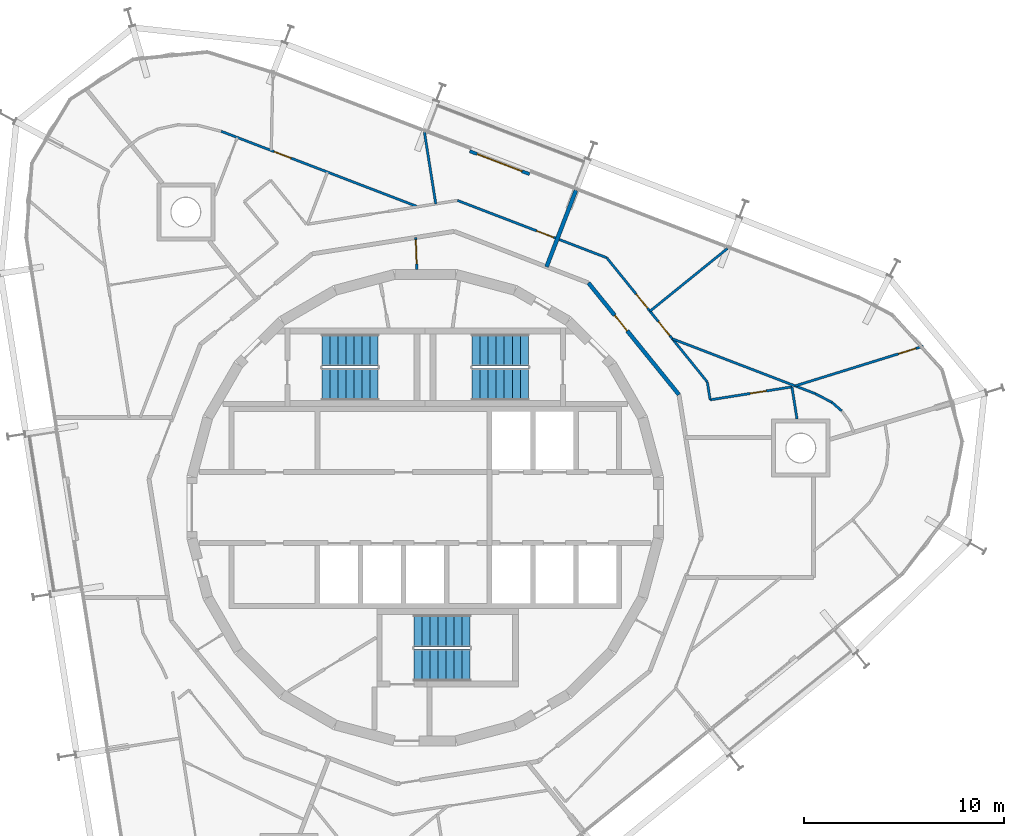
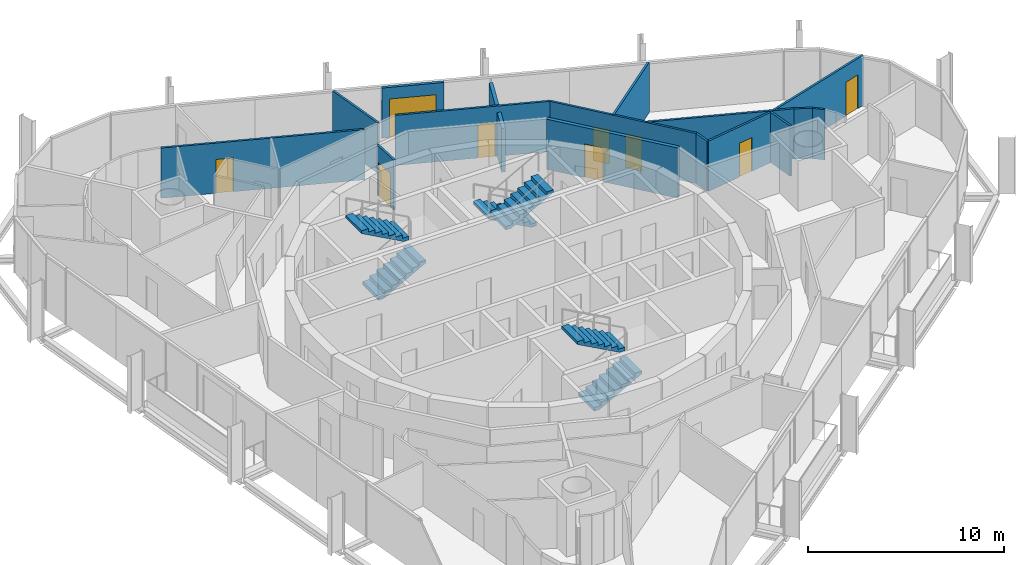
# One storey, part 16 of 17: 16 walls, 9 doors, 6 stair flights, 9 openings, 3 elements without a shape of their own.
"""IFC4 building model written with IfcOpenShell, lengths in metres."""

import ifcopenshell
import ifcopenshell.guid

model = None  # the IFC model being written
_history = None  # IfcOwnerHistory: only IFC2X3 demands one
_inside = {}  # id of a spatial element -> (the spatial element, [elements in it])
_under = {}  # id of a project, library or spatial element -> (it, [spatial elements below it])
_declared = {}  # id of a project -> (the project, [libraries it declares])
_typed = {}  # id of a type object -> (the type object, [elements of that type])
_made_of = {}  # id of a material, layer set ... -> (it, [elements and type objects made of it])


def new_model(schema):
    """Start an empty IFC model of exactly this schema.

    Asked for "IFC4X3", IfcOpenShell would pick the latest addendum, in which some entities
    have other attributes; the version numbers below select the first issue.
    IFC2X3 requires an IfcOwnerHistory on every rooted entity: one is made here for all.
    """
    global model, _history
    if schema == "IFC4X3":
        model = ifcopenshell.file(schema_version=(4, 3, 0, 0))
    else:
        model = ifcopenshell.file(schema=schema)
    _inside.clear()
    _under.clear()
    _declared.clear()
    _typed.clear()
    _made_of.clear()
    _history = None
    if model.schema == "IFC2X3":
        org = make("IfcOrganization", Name="unknown")
        user = make(
            "IfcPersonAndOrganization",
            ThePerson=make("IfcPerson", FamilyName="unknown"),
            TheOrganization=org,
        )
        app = make(
            "IfcApplication",
            ApplicationDeveloper=org,
            Version="unknown",
            ApplicationFullName="unknown",
            ApplicationIdentifier="unknown",
        )
        _history = make(
            "IfcOwnerHistory",
            OwningUser=user,
            OwningApplication=app,
            ChangeAction="ADDED",
            CreationDate=0,
        )
    return model


def make(cls, **values):
    """One entity of the class cls with the attributes given. An attribute that is None is left unset."""
    return model.create_entity(
        cls, **{name: value for name, value in values.items() if value is not None}
    )


def rooted(cls, **values):
    """An entity with a GlobalId (a new one), such as an element, a storey or a relation."""
    return make(cls, GlobalId=ifcopenshell.guid.new(), OwnerHistory=_history, **values)


def si_unit(unit_type, name, prefix=None):
    """IfcSIUnit, for example si_unit("LENGTHUNIT", "METRE", prefix="MILLI")."""
    return make("IfcSIUnit", UnitType=unit_type, Prefix=prefix, Name=name)


def assignment(units):
    """IfcUnitAssignment: the units of a project."""
    return None if units is None else make("IfcUnitAssignment", Units=units)


def point(xyz):
    """IfcCartesianPoint."""
    return None if xyz is None else make("IfcCartesianPoint", Coordinates=xyz)


def direction(xyz):
    """IfcDirection."""
    return None if xyz is None else make("IfcDirection", DirectionRatios=xyz)


def frame(location, z_axis=None, x_axis=None):
    """IfcAxis2Placement3D, a coordinate frame: its origin and axes. An axis left out is left unset."""
    return make(
        "IfcAxis2Placement3D",
        Location=point(location),
        Axis=direction(z_axis),
        RefDirection=direction(x_axis),
    )


def frame_2d(location, x_axis=None):
    """IfcAxis2Placement2D, a coordinate frame in the plane: its origin and x axis."""
    return make(
        "IfcAxis2Placement2D", Location=point(location), RefDirection=direction(x_axis)
    )


def origin():
    """The frame at (0, 0, 0) with its axes left unset."""
    return frame((0.0, 0.0, 0.0))


def place(relative_to, where):
    """IfcLocalPlacement: puts the frame where relative to a parent placement (None: the world)."""
    return make(
        "IfcLocalPlacement", PlacementRelTo=relative_to, RelativePlacement=where
    )


def context(
    kind, dimensions, precision=None, world=None, true_north=None, identifier=None
):
    """IfcGeometricRepresentationContext, for example the 3D "Model" context."""
    return make(
        "IfcGeometricRepresentationContext",
        ContextIdentifier=identifier,
        ContextType=kind,
        CoordinateSpaceDimension=dimensions,
        Precision=precision,
        WorldCoordinateSystem=world,
        TrueNorth=true_north,
    )


def subcontext(parent, identifier, kind, view, scale=None):
    """IfcGeometricRepresentationSubContext, for example "Body" below "Model"."""
    return make(
        "IfcGeometricRepresentationSubContext",
        ContextIdentifier=identifier,
        ContextType=kind,
        ParentContext=parent,
        TargetScale=scale,
        TargetView=view,
    )


def project(units=None, contexts=None):
    """IfcProject with its units and contexts."""
    return rooted(
        "IfcProject",
        Name="project",
        RepresentationContexts=contexts,
        UnitsInContext=assignment(units),
    )


def spatial(cls, under=None, at=None, **own):
    """A site, building, storey or space (cls), placed at a placement, below another one or the project."""
    s = rooted(cls, ObjectPlacement=at, **own)
    if under is not None:
        _under.setdefault(under.id(), (under, []))[1].append(s)
    return s


def polyline(points):
    """IfcPolyline through the points."""
    return make("IfcPolyline", Points=[point(p) for p in points])


def profile(cls, at=None, kind="AREA", **sizes):
    """A parametric profile (cls). Its sizes go by their IFC names, for example OverallWidth=200.0."""
    return make(cls, ProfileType=kind, Position=at, **sizes)


def rectangle(**sizes):
    """IfcRectangleProfileDef."""
    return profile("IfcRectangleProfileDef", **sizes)


def outline(outer, holes=None, kind="AREA"):
    """IfcArbitraryClosedProfileDef: a profile drawn as a closed curve; with holes, ...WithVoids."""
    if holes is None:
        return make("IfcArbitraryClosedProfileDef", ProfileType=kind, OuterCurve=outer)
    return make(
        "IfcArbitraryProfileDefWithVoids",
        ProfileType=kind,
        OuterCurve=outer,
        InnerCurves=holes,
    )


def extrude(swept, where, along, depth):
    """IfcExtrudedAreaSolid: the profile swept, set in the frame where, extruded along a direction by depth."""
    return make(
        "IfcExtrudedAreaSolid",
        SweptArea=swept,
        Position=where,
        ExtrudedDirection=direction(along),
        Depth=depth,
    )


def shape(context_of_items, identifier, shape_type, items):
    """IfcShapeRepresentation: the items that make up one representation, for example the "Body"."""
    return make(
        "IfcShapeRepresentation",
        ContextOfItems=context_of_items,
        RepresentationIdentifier=identifier,
        RepresentationType=shape_type,
        Items=items,
    )


def material(Name=None, Category=None):
    """IfcMaterial."""
    return make("IfcMaterial", Name=Name, Category=Category)


def layer(
    of_material, thickness, ventilated=None, Name=None, Category=None, Priority=None
):
    """IfcMaterialLayer: one layer of a wall or slab, of a material (None: an air gap)."""
    return make(
        "IfcMaterialLayer",
        Material=of_material,
        LayerThickness=thickness,
        IsVentilated=ventilated,
        Name=Name,
        Category=Category,
        Priority=Priority,
    )


def layer_set(layers, Name=None):
    """IfcMaterialLayerSet."""
    return make("IfcMaterialLayerSet", MaterialLayers=layers, LayerSetName=Name)


def made_of(thing, what):
    """Note that an element or type object is made of a material, layer set ...; save() writes the relation."""
    if what is not None:
        _made_of.setdefault(what.id(), (what, []))[1].append(thing)
    return thing


def type_object(cls, material=None, **own):
    """A type object (cls), such as IfcWallType, which elements share."""
    return made_of(rooted(cls, **own), material)


def element(
    cls,
    number,
    at=None,
    inside=None,
    cuts=None,
    type_object=None,
    material=None,
    context=None,
    identifier="Body",
    shape_type=None,
    held_by="IfcProductDefinitionShape",
    body=None,
    shapes=None,
    **own,
):
    """One element of the class cls, such as IfcWall. Its Tag is "e" and its number.

    at: its placement. inside: the storey or other place that contains it. cuts: it is an
    opening in that element (IfcRelVoidsElement). A single representation is given by context,
    identifier, shape_type and body (its items); several are given by shapes. held_by: the class
    of the entity that holds the representations. save() writes the other relations.
    """
    e = rooted(cls, Tag="e%d" % number, ObjectPlacement=at, **own)
    if body is not None:
        shapes = [shape(context, identifier, shape_type, body)]
    if shapes is not None:
        e.Representation = make(held_by, Representations=shapes)
    if inside is not None:
        _inside.setdefault(inside.id(), (inside, []))[1].append(e)
    if cuts is not None:
        rooted(
            "IfcRelVoidsElement", RelatingBuildingElement=cuts, RelatedOpeningElement=e
        )
    if type_object is not None:
        _typed.setdefault(type_object.id(), (type_object, []))[1].append(e)
    return made_of(e, material)


def fill(opening, filler):
    """IfcRelFillsElement: the door or window that sits in an opening."""
    return rooted(
        "IfcRelFillsElement",
        RelatingOpeningElement=opening,
        RelatedBuildingElement=filler,
    )


def aggregate(whole, parts):
    """IfcRelAggregates: a whole, such as a stair, and the parts it consists of."""
    return rooted("IfcRelAggregates", RelatingObject=whole, RelatedObjects=parts)


def save(model, path):
    """Write the relations noted so far, then the file.

    IfcRelAggregates (storeys below a building ...), IfcRelContainedInSpatialStructure (elements
    in a storey), IfcRelDefinesByType, IfcRelAssociatesMaterial and IfcRelDeclares: one each for
    every whole, place, type object, material and project.
    """
    for whole, parts in _under.values():
        aggregate(whole, parts)
    for where, things in _inside.values():
        rooted(
            "IfcRelContainedInSpatialStructure",
            RelatedElements=things,
            RelatingStructure=where,
        )
    for kind, things in _typed.values():
        rooted("IfcRelDefinesByType", RelatedObjects=things, RelatingType=kind)
    for what, things in _made_of.values():
        rooted("IfcRelAssociatesMaterial", RelatedObjects=things, RelatingMaterial=what)
    for by, libraries in _declared.values():
        rooted("IfcRelDeclares", RelatingContext=by, RelatedDefinitions=libraries)
    model.write(path)


model = new_model("IFC4")

# Units and contexts
model_context = context("Model", 3, precision=1e-05, world=origin(), true_north=direction((0.0, 1.0)))
body_context = subcontext(model_context, "Body", "Model", "MODEL_VIEW")
ifc_project = project(units=[si_unit("LENGTHUNIT", "METRE"), si_unit("AREAUNIT", "SQUARE_METRE"), si_unit("VOLUMEUNIT", "CUBIC_METRE"), si_unit("PLANEANGLEUNIT", "RADIAN"), si_unit("MASSUNIT", "GRAM", prefix="KILO")], contexts=[model_context])

# Site, building, storey
site_placement = place(None, origin())
site = spatial("IfcSite", under=ifc_project, at=site_placement, CompositionType="ELEMENT")
building_placement = place(site_placement, origin())
building = spatial("IfcBuilding", under=site, at=building_placement, Name="Spindle Arch Residences", CompositionType="ELEMENT")
storey_placement = place(building_placement, frame((0.0, 0.0, 284.39990234375)))
storey = spatial("IfcBuildingStorey", under=building, at=storey_placement, Name="L73", CompositionType="ELEMENT", Elevation=284.39990234375)

# Wall, opening, door
ifc_material_1 = material(Name="Plasterboard on steel studs", Category="steel")
ifc_layer_1 = layer(ifc_material_1, 0.1201171875)
ifc_layer_set_1 = layer_set([ifc_layer_1], Name="Corridor division wall 120")
wall_type_1 = type_object("IfcWallType", Name="Corridor division wall 120", PredefinedType="PARTITIONING", material=ifc_layer_set_1)
wall_1_placement = place(storey_placement, frame((-0.47119140625, 13.492431640625, 0.0), z_axis=(0.0, 0.0, 1.0), x_axis=(0.034873173869, -0.999391745886, 0.0)))
wall_1 = element("IfcWall", 1, at=wall_1_placement, inside=storey, type_object=wall_type_1, Name="Corridor division wall R7C0-W001", PredefinedType="PARTITIONING", context=body_context, shape_type="SweptSolid", body=[
    extrude(rectangle(XDim=1.59619140625, YDim=0.1201171875, at=frame_2d((0.798095703125, 0.0))), origin(), (0.0, 0.0, 1.0), 3.1201171875),
])
opening_1_placement = place(wall_1_placement, frame((0.1201171875, 0.0, 0.0)))
opening_1 = element("IfcOpeningElement", 2, at=opening_1_placement, cuts=wall_1, Name="Opening R7C0-CD01", PredefinedType="OPENING", context=body_context, shape_type="SweptSolid", body=[
    extrude(rectangle(XDim=1.199951171875, YDim=2.10009765625, at=frame_2d((0.60009765625, 1.050048828125))), frame((0.0, 0.070068359375, 0.0), z_axis=(0.0, -1.0, 0.0), x_axis=(1.0, 0.0, 0.0)), (0.0, 0.0, 1.0), 0.14013671875),
])
ifc_material_2 = material(Name="Steel, fire-resisting door", Category="steel")
door_type_1 = type_object("IfcDoorType", Name="Corridor division door 1200x2100", OperationType="NOTDEFINED", PredefinedType="DOOR", material=ifc_material_2)
door_1_placement = place(opening_1_placement, origin())
door_1 = element("IfcDoor", 3, at=door_1_placement, inside=storey, type_object=door_type_1, Name="Corridor division door R7C0-CD01", OperationType="DOUBLE_DOOR_SINGLE_SWING", OverallHeight=2.10009765625, OverallWidth=1.199951171875, PredefinedType="DOOR", context=body_context, shape_type="SweptSolid", body=[
    extrude(rectangle(XDim=1.199951171875, YDim=2.10009765625, at=frame_2d((0.60009765625, 1.050048828125))), frame((0.0, 0.02490234375, 0.0), z_axis=(0.0, -1.0, 0.0), x_axis=(1.0, 0.0, 0.0)), (0.0, 0.0, 1.0), 0.050048828125),
])
fill(opening_1, door_1)

ifc_material_3 = material(Name="Calcium silicate block, plastered")
ifc_layer_2 = layer(ifc_material_3, 0.199951171875)
ifc_layer_set_2 = layer_set([ifc_layer_2], Name="Corridor wall 200")
wall_type_2 = type_object("IfcWallType", Name="Corridor wall 200", PredefinedType="STANDARD", material=ifc_layer_set_2)
wall_2_placement = place(storey_placement, frame((12.67333984375, 5.642578125, 0.0), z_axis=(0.0, 0.0, 1.0), x_axis=(-0.629302871585, 0.777160148113, 0.0)))
wall_2 = element("IfcWall", 4, at=wall_2_placement, inside=storey, type_object=wall_type_2, Name="Corridor wall R7C0-W006", PredefinedType="STANDARD", context=body_context, shape_type="SweptSolid", body=[
    extrude(rectangle(XDim=7.180908203125, YDim=0.199951171875, at=frame_2d((3.59033203125, 0.0))), origin(), (0.0, 0.0, 1.0), 3.1201171875),
])
opening_2_placement = place(wall_2_placement, frame((4.10009765625, 0.0, 0.0)))
opening_2 = element("IfcOpeningElement", 5, at=opening_2_placement, cuts=wall_2, Name="Opening R7C0-FD01", PredefinedType="OPENING", context=body_context, shape_type="SweptSolid", body=[
    extrude(rectangle(XDim=1.0, YDim=2.10009765625, at=frame_2d((0.5, 1.050048828125))), frame((0.0, 0.10986328125, 0.0), z_axis=(0.0, -1.0, 0.0), x_axis=(1.0, 0.0, 0.0)), (0.0, 0.0, 1.0), 0.219970703125),
])
ifc_material_4 = material(Name="Timber, fire-resisting door set", Category="wood")
door_type_2 = type_object("IfcDoorType", Name="Flat entrance door 1000x2100", OperationType="NOTDEFINED", PredefinedType="DOOR", material=ifc_material_4)
door_2_placement = place(opening_2_placement, origin())
door_2 = element("IfcDoor", 6, at=door_2_placement, inside=storey, type_object=door_type_2, Name="Flat entrance door R7C0-FD01", OperationType="SINGLE_SWING_LEFT", OverallHeight=2.10009765625, OverallWidth=1.0, PredefinedType="DOOR", context=body_context, shape_type="SweptSolid", body=[
    extrude(rectangle(XDim=1.0, YDim=2.10009765625, at=frame_2d((0.5, 1.050048828125))), frame((0.0, 0.02490234375, 0.0), z_axis=(0.0, -1.0, 0.0), x_axis=(1.0, 0.0, 0.0)), (0.0, 0.0, 1.0), 0.050048828125),
])
fill(opening_2, door_2)

# Wall
ifc_material_5 = material(Name="Plasterboard on steel studs", Category="steel")
ifc_layer_3 = layer(ifc_material_5, 0.1201171875)
ifc_layer_set_3 = layer_set([ifc_layer_3], Name="Flat partition 120")
wall_type_3 = type_object("IfcWallType", Name="Flat partition 120", PredefinedType="PARTITIONING", material=ifc_layer_set_3)
wall_3_placement = place(storey_placement, frame((18.572021484375, 4.421142578125, 0.0), z_axis=(0.0, 0.0, 1.0), x_axis=(-0.156347444306, 0.987702119396, 0.0)))
element("IfcWall", 7, at=wall_3_placement, inside=storey, type_object=wall_type_3, Name="Flat partition R7C0-W031", PredefinedType="PARTITIONING", context=body_context, shape_type="SweptSolid", body=[
    extrude(rectangle(XDim=1.628662109375, YDim=0.1201171875, at=frame_2d((0.814453125, 0.0))), origin(), (0.0, 0.0, 1.0), 3.1201171875),
])

# Wall, opening, door
wall_4_placement = place(storey_placement, frame((18.3173828125, 6.02978515625, 0.0), z_axis=(0.0, 0.0, 1.0), x_axis=(-0.9876848128, -0.156456737039, 0.0)))
wall_4 = element("IfcWall", 8, at=wall_4_placement, inside=storey, type_object=wall_type_3, Name="Flat partition R7C0-W032", PredefinedType="PARTITIONING", context=body_context, shape_type="SweptSolid", body=[
    extrude(rectangle(XDim=4.13525390625, YDim=0.1201171875, at=frame_2d((2.067626953125, 0.0))), origin(), (0.0, 0.0, 1.0), 3.1201171875),
])
opening_3_placement = place(wall_4_placement, frame((1.300048828125, 0.0, 0.0)))
opening_3 = element("IfcOpeningElement", 9, at=opening_3_placement, cuts=wall_4, Name="Opening R7C0-BD01", PredefinedType="OPENING", context=body_context, shape_type="SweptSolid", body=[
    extrude(rectangle(XDim=0.800048828125, YDim=2.10009765625, at=frame_2d((0.39990234375, 1.050048828125))), frame((0.0, 0.070068359375, 0.0), z_axis=(0.0, -1.0, 0.0), x_axis=(1.0, 0.0, 0.0)), (0.0, 0.0, 1.0), 0.14013671875),
])
ifc_material_6 = material(Name="Timber door set", Category="wood")
door_type_3 = type_object("IfcDoorType", Name="Bathroom door 800x2100", OperationType="NOTDEFINED", PredefinedType="DOOR", material=ifc_material_6)
door_3_placement = place(opening_3_placement, origin())
door_3 = element("IfcDoor", 10, at=door_3_placement, inside=storey, type_object=door_type_3, Name="Bathroom door R7C0-BD01", OperationType="SINGLE_SWING_LEFT", OverallHeight=2.10009765625, OverallWidth=0.800048828125, PredefinedType="DOOR", context=body_context, shape_type="SweptSolid", body=[
    extrude(rectangle(XDim=0.800048828125, YDim=2.10009765625, at=frame_2d((0.39990234375, 1.050048828125))), frame((0.0, 0.02490234375, 0.0), z_axis=(0.0, -1.0, 0.0), x_axis=(1.0, 0.0, 0.0)), (0.0, 0.0, 1.0), 0.050048828125),
])
fill(opening_3, door_3)

# Wall
wall_5_placement = place(storey_placement, frame((14.233154296875, 5.3828125, 0.0), z_axis=(0.0, 0.0, 1.0), x_axis=(-0.156365428504, 0.987699272435, 0.0)))
element("IfcWall", 11, at=wall_5_placement, inside=storey, type_object=wall_type_3, Name="Flat partition R7C0-W033", PredefinedType="PARTITIONING", context=body_context, shape_type="SweptSolid", body=[
    extrude(rectangle(XDim=0.90234375, YDim=0.1201171875, at=frame_2d((0.451171875, 0.0))), origin(), (0.0, 0.0, 1.0), 3.1201171875),
])

# Wall, openings, doors
wall_6_placement = place(storey_placement, frame((14.092041015625, 6.274169921875, 0.0), z_axis=(0.0, 0.0, 1.0), x_axis=(-0.62933367237, 0.777135206268, 0.0)))
wall_6 = element("IfcWall", 12, at=wall_6_placement, inside=storey, type_object=wall_type_3, Name="Flat partition R7C0-W034", PredefinedType="PARTITIONING", context=body_context, shape_type="SweptSolid", body=[
    extrude(rectangle(XDim=7.98486328125, YDim=0.1201171875, at=frame_2d((3.992431640625, 0.0))), origin(), (0.0, 0.0, 1.0), 3.1201171875),
])
opening_4_placement = place(wall_6_placement, frame((2.97802734375, 0.0, 0.0)))
opening_4 = element("IfcOpeningElement", 13, at=opening_4_placement, cuts=wall_6, Name="Opening R7C0-ID01", PredefinedType="OPENING", context=body_context, shape_type="SweptSolid", body=[
    extrude(rectangle(XDim=0.89990234375, YDim=2.10009765625, at=frame_2d((0.449951171875, 1.050048828125))), frame((0.0, 0.070068359375, 0.0), z_axis=(0.0, -1.0, 0.0), x_axis=(1.0, 0.0, 0.0)), (0.0, 0.0, 1.0), 0.14013671875),
])
opening_5_placement = place(wall_6_placement, frame((4.7490234375, 0.0, 0.0)))
opening_5 = element("IfcOpeningElement", 14, at=opening_5_placement, cuts=wall_6, Name="Opening R7C0-ID02", PredefinedType="OPENING", context=body_context, shape_type="SweptSolid", body=[
    extrude(rectangle(XDim=0.89990234375, YDim=2.10009765625, at=frame_2d((0.449951171875, 1.050048828125))), frame((0.0, 0.070068359375, 0.0), z_axis=(0.0, -1.0, 0.0), x_axis=(1.0, 0.0, 0.0)), (0.0, 0.0, 1.0), 0.14013671875),
])
ifc_material_7 = material(Name="Timber door set", Category="wood")
door_type_4 = type_object("IfcDoorType", Name="Room door 900x2100", OperationType="NOTDEFINED", PredefinedType="DOOR", material=ifc_material_7)
door_4_placement = place(opening_4_placement, origin())
door_4 = element("IfcDoor", 15, at=door_4_placement, inside=storey, type_object=door_type_4, Name="Room door R7C0-ID01", OperationType="SINGLE_SWING_LEFT", OverallHeight=2.10009765625, OverallWidth=0.89990234375, PredefinedType="DOOR", context=body_context, shape_type="SweptSolid", body=[
    extrude(rectangle(XDim=0.89990234375, YDim=2.10009765625, at=frame_2d((0.449951171875, 1.050048828125))), frame((0.0, 0.02490234375, 0.0), z_axis=(0.0, -1.0, 0.0), x_axis=(1.0, 0.0, 0.0)), (0.0, 0.0, 1.0), 0.050048828125),
])
fill(opening_4, door_4)
door_5_placement = place(opening_5_placement, origin())
door_5 = element("IfcDoor", 16, at=door_5_placement, inside=storey, type_object=door_type_4, Name="Room door R7C0-ID02", OperationType="SINGLE_SWING_LEFT", OverallHeight=2.10009765625, OverallWidth=0.89990234375, PredefinedType="DOOR", context=body_context, shape_type="SweptSolid", body=[
    extrude(rectangle(XDim=0.89990234375, YDim=2.10009765625, at=frame_2d((0.449951171875, 1.050048828125))), frame((0.0, 0.02490234375, 0.0), z_axis=(0.0, -1.0, 0.0), x_axis=(1.0, 0.0, 0.0)), (0.0, 0.0, 1.0), 0.050048828125),
])
fill(opening_5, door_5)

# Wall, opening, door
wall_7_placement = place(storey_placement, frame((9.06689453125, 12.4794921875, 0.0), z_axis=(0.0, 0.0, 1.0), x_axis=(-0.933579449035, 0.358370495911, 0.0)))
wall_7 = element("IfcWall", 17, at=wall_7_placement, inside=storey, type_object=wall_type_3, Name="Flat partition R7C0-W035", PredefinedType="PARTITIONING", context=body_context, shape_type="SweptSolid", body=[
    extrude(rectangle(XDim=7.98486328125, YDim=0.1201171875, at=frame_2d((3.992431640625, 0.0))), origin(), (0.0, 0.0, 1.0), 3.1201171875),
])
opening_6_placement = place(wall_7_placement, frame((2.841064453125, 0.0, 0.0)))
opening_6 = element("IfcOpeningElement", 18, at=opening_6_placement, cuts=wall_7, Name="Opening R7C0-ID04", PredefinedType="OPENING", context=body_context, shape_type="SweptSolid", body=[
    extrude(rectangle(XDim=0.89990234375, YDim=2.10009765625, at=frame_2d((0.449951171875, 1.050048828125))), frame((0.0, 0.070068359375, 0.0), z_axis=(0.0, -1.0, 0.0), x_axis=(1.0, 0.0, 0.0)), (0.0, 0.0, 1.0), 0.14013671875),
])
door_6_placement = place(opening_6_placement, origin())
door_6 = element("IfcDoor", 19, at=door_6_placement, inside=storey, type_object=door_type_4, Name="Room door R7C0-ID04", OperationType="SINGLE_SWING_LEFT", OverallHeight=2.10009765625, OverallWidth=0.89990234375, PredefinedType="DOOR", context=body_context, shape_type="SweptSolid", body=[
    extrude(rectangle(XDim=0.89990234375, YDim=2.10009765625, at=frame_2d((0.449951171875, 1.050048828125))), frame((0.0, 0.02490234375, 0.0), z_axis=(0.0, -1.0, 0.0), x_axis=(1.0, 0.0, 0.0)), (0.0, 0.0, 1.0), 0.050048828125),
])
fill(opening_6, door_6)

# Walls
wall_8_placement = place(storey_placement, frame((12.34375, 8.43310546875, 0.0), z_axis=(0.0, 0.0, 1.0), x_axis=(0.933573435176, -0.358386162029, 0.0)))
element("IfcWall", 20, at=wall_8_placement, inside=storey, type_object=wall_type_3, Name="Flat partition R7C0-W036", PredefinedType="PARTITIONING", context=body_context, shape_type="SweptSolid", body=[
    extrude(rectangle(XDim=7.64404296875, YDim=0.1201171875, at=frame_2d((3.822021484375, 0.0))), origin(), (0.0, 0.0, 1.0), 3.1201171875),
])
wall_9_placement = place(storey_placement, frame((19.47998046875, 5.693603515625, 0.0), z_axis=(0.0, 0.0, 1.0), x_axis=(0.885755816688, -0.464151519662, 0.0)))
element("IfcWall", 21, at=wall_9_placement, inside=storey, type_object=wall_type_3, Name="Flat partition R7C0-W037", PredefinedType="PARTITIONING", context=body_context, shape_type="SweptSolid", body=[
    extrude(rectangle(XDim=0.94677734375, YDim=0.1201171875, at=frame_2d((0.473388671875, 0.0))), origin(), (0.0, 0.0, 1.0), 3.1201171875),
])
wall_10_placement = place(storey_placement, frame((20.318603515625, 5.254150390625, 0.0), z_axis=(0.0, 0.0, 1.0), x_axis=(0.754646464307, -0.656131628493, 0.0)))
element("IfcWall", 22, at=wall_10_placement, inside=storey, type_object=wall_type_3, Name="Flat partition R7C0-W038", PredefinedType="PARTITIONING", context=body_context, shape_type="SweptSolid", body=[
    extrude(rectangle(XDim=0.641845703125, YDim=0.1201171875, at=frame_2d((0.32080078125, 0.0))), origin(), (0.0, 0.0, 1.0), 3.1201171875),
])

# Wall, opening, door
wall_11_placement = place(storey_placement, frame((24.883056640625, 8.06640625, 0.0), z_axis=(0.0, 0.0, 1.0), x_axis=(-0.955106049863, -0.296264127958, 0.0)))
wall_11 = element("IfcWall", 23, at=wall_11_placement, inside=storey, type_object=wall_type_3, Name="Flat partition R7C0-W041", PredefinedType="PARTITIONING", context=body_context, shape_type="SweptSolid", body=[
    extrude(rectangle(XDim=6.707763671875, YDim=0.1201171875, at=frame_2d((3.35400390625, 0.0))), origin(), (0.0, 0.0, 1.0), 3.1201171875),
])
opening_7_placement = place(wall_11_placement, frame((0.39990234375, 0.0, 0.0)))
opening_7 = element("IfcOpeningElement", 24, at=opening_7_placement, cuts=wall_11, Name="Opening R7C0-ID03", PredefinedType="OPENING", context=body_context, shape_type="SweptSolid", body=[
    extrude(rectangle(XDim=0.89990234375, YDim=2.10009765625, at=frame_2d((0.449951171875, 1.050048828125))), frame((0.0, 0.070068359375, 0.0), z_axis=(0.0, -1.0, 0.0), x_axis=(1.0, 0.0, 0.0)), (0.0, 0.0, 1.0), 0.14013671875),
])
door_7_placement = place(opening_7_placement, origin())
door_7 = element("IfcDoor", 25, at=door_7_placement, inside=storey, type_object=door_type_4, Name="Room door R7C0-ID03", OperationType="SINGLE_SWING_LEFT", OverallHeight=2.10009765625, OverallWidth=0.89990234375, PredefinedType="DOOR", context=body_context, shape_type="SweptSolid", body=[
    extrude(rectangle(XDim=0.89990234375, YDim=2.10009765625, at=frame_2d((0.449951171875, 1.050048828125))), frame((0.0, 0.02490234375, 0.0), z_axis=(0.0, -1.0, 0.0), x_axis=(1.0, 0.0, 0.0)), (0.0, 0.0, 1.0), 0.050048828125),
])
fill(opening_7, door_7)

# Walls
wall_12_placement = place(storey_placement, frame((15.100830078125, 12.944580078125, 0.0), z_axis=(0.0, 0.0, 1.0), x_axis=(-0.777178675378, -0.629279990575, 0.0)))
element("IfcWall", 26, at=wall_12_placement, inside=storey, type_object=wall_type_3, Name="Flat partition R7C0-W042", PredefinedType="PARTITIONING", context=body_context, shape_type="SweptSolid", body=[
    extrude(rectangle(XDim=4.98193359375, YDim=0.1201171875, at=frame_2d((2.490966796875, 0.0))), origin(), (0.0, 0.0, 1.0), 3.1201171875),
])
wall_13_placement = place(storey_placement, frame((-0.037353515625, 18.755615234375, 0.0), z_axis=(0.0, 0.0, 1.0), x_axis=(0.156421851095, -0.987690338365, 0.0)))
element("IfcWall", 27, at=wall_13_placement, inside=storey, type_object=wall_type_3, Name="Flat partition R7C0-W048", PredefinedType="PARTITIONING", context=body_context, shape_type="SweptSolid", body=[
    extrude(rectangle(XDim=3.63037109375, YDim=0.1201171875, at=frame_2d((1.815185546875, 0.0))), origin(), (0.0, 0.0, 1.0), 3.1201171875),
])

# Wall, opening, door
wall_14_placement = place(storey_placement, frame((-10.180419921875, 18.793212890625, 0.0), z_axis=(0.0, 0.0, 1.0), x_axis=(0.933574148929, -0.358384302742, 0.0)))
wall_14 = element("IfcWall", 28, at=wall_14_placement, inside=storey, type_object=wall_type_3, Name="Flat partition R7C0-W049", PredefinedType="PARTITIONING", context=body_context, shape_type="SweptSolid", body=[
    extrude(rectangle(XDim=10.508544921875, YDim=0.1201171875, at=frame_2d((5.25439453125, 0.0))), origin(), (0.0, 0.0, 1.0), 3.1201171875),
])
opening_8_placement = place(wall_14_placement, frame((2.829345703125, 0.0, 0.0)))
opening_8 = element("IfcOpeningElement", 29, at=opening_8_placement, cuts=wall_14, Name="Opening R7C0-ID06", PredefinedType="OPENING", context=body_context, shape_type="SweptSolid", body=[
    extrude(rectangle(XDim=0.89990234375, YDim=2.10009765625, at=frame_2d((0.449951171875, 1.050048828125))), frame((0.0, 0.070068359375, 0.0), z_axis=(0.0, -1.0, 0.0), x_axis=(1.0, 0.0, 0.0)), (0.0, 0.0, 1.0), 0.14013671875),
])
door_8_placement = place(opening_8_placement, origin())
door_8 = element("IfcDoor", 30, at=door_8_placement, inside=storey, type_object=door_type_4, Name="Room door R7C0-ID06", OperationType="SINGLE_SWING_RIGHT", OverallHeight=2.10009765625, OverallWidth=0.89990234375, PredefinedType="DOOR", context=body_context, shape_type="SweptSolid", body=[
    extrude(rectangle(XDim=0.89990234375, YDim=2.10009765625, at=frame_2d((0.449951171875, 1.050048828125))), frame((0.0, 0.02490234375, 0.0), z_axis=(0.0, -1.0, 0.0), x_axis=(1.0, 0.0, 0.0)), (0.0, 0.0, 1.0), 0.050048828125),
])
fill(opening_8, door_8)

# Wall
ifc_material_8 = material(Name="Calcium silicate block, plastered")
ifc_layer_4 = layer(ifc_material_8, 0.199951171875)
ifc_layer_set_4 = layer_set([ifc_layer_4], Name="Flat party wall 200 under beam 2730")
wall_type_4 = type_object("IfcWallType", Name="Flat party wall 200 under beam 2730", PredefinedType="STANDARD", material=ifc_layer_set_4)
wall_15_placement = place(storey_placement, frame((7.53173828125, 15.85009765625, 0.0), z_axis=(0.0, 0.0, 1.0), x_axis=(-0.358355996975, -0.933585014571, 0.0)))
element("IfcWall", 31, at=wall_15_placement, inside=storey, type_object=wall_type_4, Name="Flat party wall R7C0-W022", PredefinedType="STANDARD", context=body_context, shape_type="SweptSolid", body=[
    extrude(rectangle(XDim=4.096435546875, YDim=0.199951171875, at=frame_2d((2.04833984375, 0.0))), origin(), (0.0, 0.0, 1.0), 2.72998046875),
])

# Wall, opening, door
ifc_material_9 = material(Name="Non-combustible mineral wool insulated aluminium faced external wall (K0)", Category="aluminium")
ifc_layer_5 = layer(ifc_material_9, 0.159912109375)
ifc_layer_set_5 = layer_set([ifc_layer_5], Name="Insulated external wall panel 160")
wall_type_5 = type_object("IfcWallType", Name="Insulated external wall panel 160", PredefinedType="STANDARD", material=ifc_layer_set_5)
wall_16_placement = place(storey_placement, frame((5.212158203125, 16.655029296875, 0.0), z_axis=(0.0, 0.0, 1.0), x_axis=(-0.933579413923, 0.358370587381, 0.0)))
wall_16 = element("IfcWall", 32, at=wall_16_placement, inside=storey, type_object=wall_type_5, Name="External wall L73 bay 7", PredefinedType="STANDARD", context=body_context, shape_type="SweptSolid", body=[
    extrude(rectangle(XDim=3.199951171875, YDim=0.159912109375, at=frame_2d((1.60009765625, 0.0))), origin(), (0.0, 0.0, 1.0), 3.1201171875),
])
opening_9_placement = place(wall_16_placement, frame((0.39990234375, 0.0, 0.0)))
opening_9 = element("IfcOpeningElement", 33, at=opening_9_placement, cuts=wall_16, Name="Opening BD07", PredefinedType="OPENING", context=body_context, shape_type="SweptSolid", body=[
    extrude(rectangle(XDim=2.39990234375, YDim=2.39990234375, at=frame_2d((1.199951171875, 1.199951171875))), frame((0.0, 0.08984375, 0.0), z_axis=(0.0, -1.0, 0.0), x_axis=(1.0, 0.0, 0.0)), (0.0, 0.0, 1.0), 0.179931640625),
])
ifc_material_10 = material(Name="Bronze aluminium frame, tinted double glazing", Category="aluminium")
door_type_5 = type_object("IfcDoorType", Name="Sliding glazed balcony door 2400x2400", OperationType="DOUBLE_DOOR_SLIDING", PredefinedType="DOOR", material=ifc_material_10)
door_9_placement = place(opening_9_placement, origin())
door_9 = element("IfcDoor", 34, at=door_9_placement, inside=storey, type_object=door_type_5, Name="Balcony door BD07", OperationType="DOUBLE_DOOR_SLIDING", OverallHeight=2.39990234375, OverallWidth=2.39990234375, PredefinedType="DOOR", context=body_context, shape_type="SweptSolid", body=[
    extrude(rectangle(XDim=2.39990234375, YDim=2.39990234375, at=frame_2d((1.199951171875, 1.199951171875))), frame((0.0, 0.02490234375, 0.0), z_axis=(0.0, -1.0, 0.0), x_axis=(1.0, 0.0, 0.0)), (0.0, 0.0, 1.0), 0.050048828125),
])
fill(opening_9, door_9)

# Stair, stair flights
ifc_material_11 = material(Name="Concrete C50/60", Category="concrete")
stair_type = type_object("IfcStairType", Name="Exit stair 16 risers", PredefinedType="HALF_TURN_STAIR", material=ifc_material_11)
stair_1_placement = place(storey_placement, origin())
stair_1 = element("IfcStair", 35, at=stair_1_placement, inside=storey, type_object=stair_type, Name="L73 Exit stair ST1", PredefinedType="HALF_TURN_STAIR")
ifc_material_12 = material(Name="Concrete C50/60", Category="concrete")
stair_flight_type = type_object("IfcStairFlightType", Name="Exit stair flight", PredefinedType="STRAIGHT", material=ifc_material_12)
stair_flight_1_placement = place(storey_placement, frame((5.14990234375, 7.8701171875, 0.0), z_axis=(0.0, 0.0, 1.0), x_axis=(-1.0, 0.0, 0.0)))
stair_flight_1 = element("IfcStairFlight", 36, at=stair_flight_1_placement, type_object=stair_flight_type, Name="ST1 flight 1", NumberOfRisers=8, NumberOfTreads=7, PredefinedType="STRAIGHT", RiserHeight=0.21875, TreadLength=0.4, context=body_context, shape_type="SweptSolid", body=[
    extrude(outline(polyline([(0.0, 0.0), (0.0, 0.21875), (0.39990234375, 0.21875), (0.39990234375, 0.4375), (0.800048828125, 0.4375), (0.800048828125, 0.65625), (1.199951171875, 0.65625), (1.199951171875, 0.875), (1.60009765625, 0.875), (1.60009765625, 1.09375), (2.0, 1.09375), (2.0, 1.3125), (2.39990234375, 1.3125), (2.39990234375, 1.53125), (2.800048828125, 1.53125), (2.800048828125, 1.75), (2.800048828125, 1.3603515625), (0.3125, 0.0), (0.0, 0.0)])), frame((0.0, 0.800048828125, 0.0), z_axis=(0.0, -1.0, 0.0), x_axis=(1.0, 0.0, 0.0)), (0.0, 0.0, 1.0), 1.60009765625),
])
stair_flight_2_placement = place(storey_placement, frame((2.35009765625, 6.14990234375, 1.75), z_axis=(0.0, 0.0, 1.0), x_axis=(1.0, 0.0, 0.0)))
stair_flight_2 = element("IfcStairFlight", 37, at=stair_flight_2_placement, type_object=stair_flight_type, Name="ST1 flight 2", NumberOfRisers=8, NumberOfTreads=7, PredefinedType="STRAIGHT", RiserHeight=0.21875, TreadLength=0.4, context=body_context, shape_type="SweptSolid", body=[
    extrude(outline(polyline([(0.0, 0.0), (0.0, 0.21875), (0.39990234375, 0.21875), (0.39990234375, 0.4375), (0.800048828125, 0.4375), (0.800048828125, 0.65625), (1.199951171875, 0.65625), (1.199951171875, 0.875), (1.60009765625, 0.875), (1.60009765625, 1.09375), (2.0, 1.09375), (2.0, 1.3125), (2.39990234375, 1.3125), (2.39990234375, 1.53125), (2.800048828125, 1.53125), (2.800048828125, 1.75), (2.800048828125, 1.3603515625), (0.3125, 0.0), (0.0, 0.0)])), frame((0.0, 0.800048828125, 0.0), z_axis=(0.0, -1.0, 0.0), x_axis=(1.0, 0.0, 0.0)), (0.0, 0.0, 1.0), 1.60009765625),
])
aggregate(stair_1, [stair_flight_1, stair_flight_2])

stair_2_placement = place(storey_placement, origin())
stair_2 = element("IfcStair", 38, at=stair_2_placement, inside=storey, type_object=stair_type, Name="L73 Exit stair ST2", PredefinedType="HALF_TURN_STAIR")
stair_flight_3_placement = place(storey_placement, frame((-5.14990234375, 6.14990234375, 0.0), z_axis=(0.0, 0.0, 1.0), x_axis=(1.0, 0.0, 0.0)))
stair_flight_3 = element("IfcStairFlight", 39, at=stair_flight_3_placement, type_object=stair_flight_type, Name="ST2 flight 1", NumberOfRisers=8, NumberOfTreads=7, PredefinedType="STRAIGHT", RiserHeight=0.21875, TreadLength=0.4, context=body_context, shape_type="SweptSolid", body=[
    extrude(outline(polyline([(0.0, 0.0), (0.0, 0.21875), (0.39990234375, 0.21875), (0.39990234375, 0.4375), (0.800048828125, 0.4375), (0.800048828125, 0.65625), (1.199951171875, 0.65625), (1.199951171875, 0.875), (1.60009765625, 0.875), (1.60009765625, 1.09375), (2.0, 1.09375), (2.0, 1.3125), (2.39990234375, 1.3125), (2.39990234375, 1.53125), (2.800048828125, 1.53125), (2.800048828125, 1.75), (2.800048828125, 1.3603515625), (0.3125, 0.0), (0.0, 0.0)])), frame((0.0, 0.800048828125, 0.0), z_axis=(0.0, -1.0, 0.0), x_axis=(1.0, 0.0, 0.0)), (0.0, 0.0, 1.0), 1.60009765625),
])
stair_flight_4_placement = place(storey_placement, frame((-2.35009765625, 7.8701171875, 1.75), z_axis=(0.0, 0.0, 1.0), x_axis=(-1.0, 0.0, 0.0)))
stair_flight_4 = element("IfcStairFlight", 40, at=stair_flight_4_placement, type_object=stair_flight_type, Name="ST2 flight 2", NumberOfRisers=8, NumberOfTreads=7, PredefinedType="STRAIGHT", RiserHeight=0.21875, TreadLength=0.4, context=body_context, shape_type="SweptSolid", body=[
    extrude(outline(polyline([(0.0, 0.0), (0.0, 0.21875), (0.39990234375, 0.21875), (0.39990234375, 0.4375), (0.800048828125, 0.4375), (0.800048828125, 0.65625), (1.199951171875, 0.65625), (1.199951171875, 0.875), (1.60009765625, 0.875), (1.60009765625, 1.09375), (2.0, 1.09375), (2.0, 1.3125), (2.39990234375, 1.3125), (2.39990234375, 1.53125), (2.800048828125, 1.53125), (2.800048828125, 1.75), (2.800048828125, 1.3603515625), (0.3125, 0.0), (0.0, 0.0)])), frame((0.0, 0.800048828125, 0.0), z_axis=(0.0, -1.0, 0.0), x_axis=(1.0, 0.0, 0.0)), (0.0, 0.0, 1.0), 1.60009765625),
])
aggregate(stair_2, [stair_flight_3, stair_flight_4])

stair_3_placement = place(storey_placement, origin())
stair_3 = element("IfcStair", 41, at=stair_3_placement, inside=storey, type_object=stair_type, Name="L73 Exit stair ST3", PredefinedType="HALF_TURN_STAIR")
stair_flight_5_placement = place(storey_placement, frame((-0.550048828125, -7.8701171875, 0.0), z_axis=(0.0, 0.0, 1.0), x_axis=(1.0, 0.0, 0.0)))
stair_flight_5 = element("IfcStairFlight", 42, at=stair_flight_5_placement, type_object=stair_flight_type, Name="ST3 flight 1", NumberOfRisers=8, NumberOfTreads=7, PredefinedType="STRAIGHT", RiserHeight=0.21875, TreadLength=0.4, context=body_context, shape_type="SweptSolid", body=[
    extrude(outline(polyline([(0.0, 0.0), (0.0, 0.21875), (0.39990234375, 0.21875), (0.39990234375, 0.4375), (0.800048828125, 0.4375), (0.800048828125, 0.65625), (1.199951171875, 0.65625), (1.199951171875, 0.875), (1.60009765625, 0.875), (1.60009765625, 1.09375), (2.0, 1.09375), (2.0, 1.3125), (2.39990234375, 1.3125), (2.39990234375, 1.53125), (2.800048828125, 1.53125), (2.800048828125, 1.75), (2.800048828125, 1.3603515625), (0.3125, 0.0), (0.0, 0.0)])), frame((0.0, 0.800048828125, 0.0), z_axis=(0.0, -1.0, 0.0), x_axis=(1.0, 0.0, 0.0)), (0.0, 0.0, 1.0), 1.60009765625),
])
stair_flight_6_placement = place(storey_placement, frame((2.25, -6.14990234375, 1.75), z_axis=(0.0, 0.0, 1.0), x_axis=(-1.0, 0.0, 0.0)))
stair_flight_6 = element("IfcStairFlight", 43, at=stair_flight_6_placement, type_object=stair_flight_type, Name="ST3 flight 2", NumberOfRisers=8, NumberOfTreads=7, PredefinedType="STRAIGHT", RiserHeight=0.21875, TreadLength=0.4, context=body_context, shape_type="SweptSolid", body=[
    extrude(outline(polyline([(0.0, 0.0), (0.0, 0.21875), (0.39990234375, 0.21875), (0.39990234375, 0.4375), (0.800048828125, 0.4375), (0.800048828125, 0.65625), (1.199951171875, 0.65625), (1.199951171875, 0.875), (1.60009765625, 0.875), (1.60009765625, 1.09375), (2.0, 1.09375), (2.0, 1.3125), (2.39990234375, 1.3125), (2.39990234375, 1.53125), (2.800048828125, 1.53125), (2.800048828125, 1.75), (2.800048828125, 1.3603515625), (0.3125, 0.0), (0.0, 0.0)])), frame((0.0, 0.800048828125, 0.0), z_axis=(0.0, -1.0, 0.0), x_axis=(1.0, 0.0, 0.0)), (0.0, 0.0, 1.0), 1.60009765625),
])
aggregate(stair_3, [stair_flight_5, stair_flight_6])

save(model, "model.ifc")
